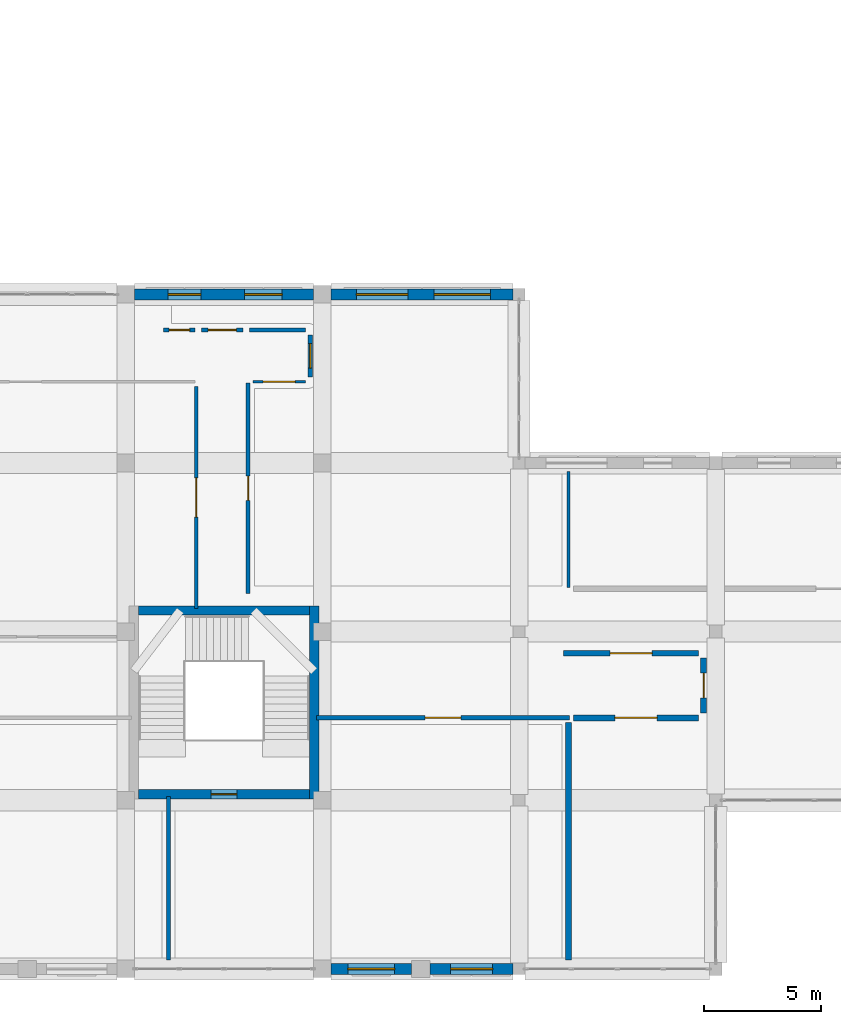
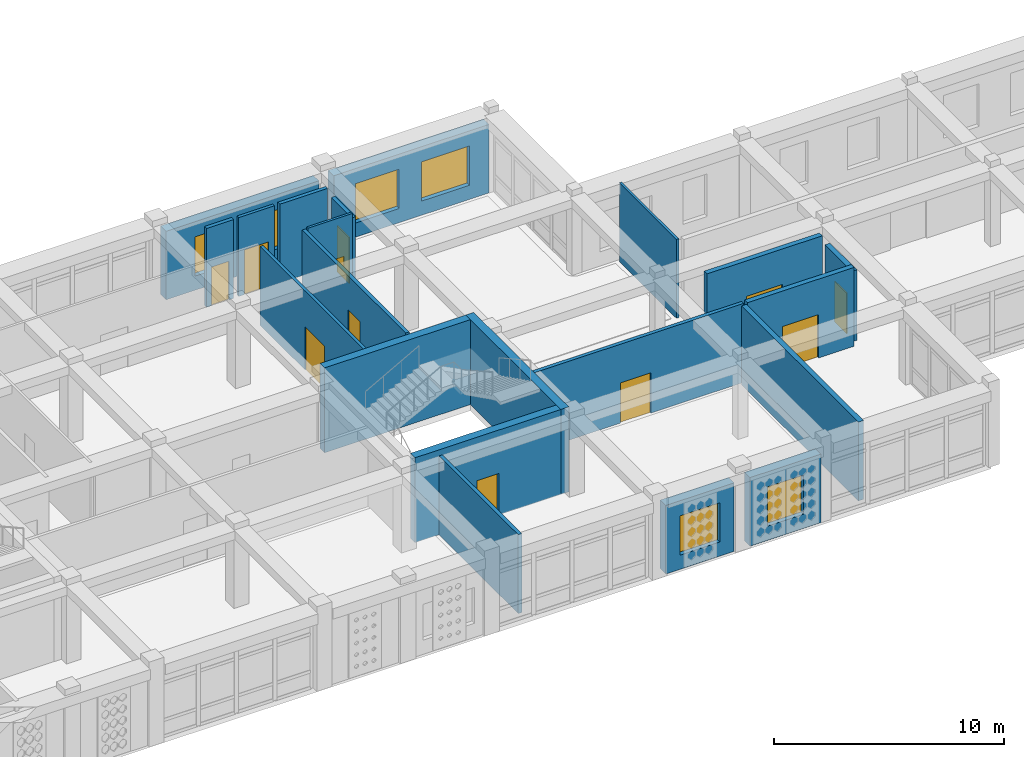
# One storey, part 86 of 121: 21 walls, 11 doors, 6 windows, 17 openings.
"""IFC4 building model written with IfcOpenShell, lengths in metres."""

from ifc_helpers import new_model, si_unit, derived_unit, direction, frame, frame_2d, origin, place, context, subcontext, project, spatial, rectangle, extrude, material, layer, layer_set, type_object, element, fill, save


model = new_model("IFC4")

# Units and contexts
model_context = context("Model", 3, precision=1e-05, world=origin(), true_north=direction((0.0, 1.0)))
body_context = subcontext(model_context, "Body", "Model", "MODEL_VIEW")
ifc_project = project(units=[si_unit("LENGTHUNIT", "METRE"), si_unit("AREAUNIT", "SQUARE_METRE"), si_unit("VOLUMEUNIT", "CUBIC_METRE"), si_unit("PLANEANGLEUNIT", "RADIAN"), si_unit("MASSUNIT", "GRAM", prefix="KILO"), derived_unit("THERMALTRANSMITTANCEUNIT", [(si_unit("POWERUNIT", "WATT"), 1), (si_unit("LENGTHUNIT", "METRE"), -2), (si_unit("THERMODYNAMICTEMPERATUREUNIT", "KELVIN"), -1)])], contexts=[model_context])

# Site, building, storey
site_placement = place(None, origin())
site = spatial("IfcSite", under=ifc_project, at=site_placement, CompositionType="ELEMENT")
building_placement = place(site_placement, origin())
building = spatial("IfcBuilding", under=site, at=building_placement, Name="Veybourne Emporium", CompositionType="ELEMENT")
storey_placement = place(building_placement, frame((0.0, 0.0, 5.39990234375)))
storey = spatial("IfcBuildingStorey", under=building, at=storey_placement, Name="L01", CompositionType="ELEMENT", Elevation=5.39990234375)

# Wall, openings, windows
ifc_material_1 = material(Name="Portland Limestone Ashlar", Category="masonry")
ifc_layer_1 = layer(ifc_material_1, 0.47998046875)
ifc_layer_set_1 = layer_set([ifc_layer_1], Name="Portland Limestone Ashlar")
wall_type_1 = type_object("IfcWallType", Name="ExtWall_EW-01", PredefinedType="SOLIDWALL", material=ifc_layer_set_1)
wall_1_placement = place(storey_placement, frame((126.375, 28.800048828125, 0.0), z_axis=(0.0, 0.0, 1.0), x_axis=(1.0, 0.0, 0.0)))
wall_1 = element("IfcWall", 1, at=wall_1_placement, inside=storey, type_object=wall_type_1, Name="L01 Portland stone external wall 068", PredefinedType="SOLIDWALL", context=body_context, shape_type="SweptSolid", body=[
    extrude(rectangle(XDim=7.64990234375, YDim=0.47998046875, at=frame_2d((3.824951171875, 0.0))), origin(), (0.0, 0.0, 1.0), 3.630126953125),
])
opening_1_placement = place(wall_1_placement, frame((1.44189453125, 0.0, 0.75)))
opening_1 = element("IfcOpeningElement", 2, at=opening_1_placement, cuts=wall_1, Name="Opening W-10", PredefinedType="OPENING", context=body_context, shape_type="SweptSolid", body=[
    extrude(rectangle(XDim=1.39990234375, YDim=2.080078125, at=frame_2d((0.699951171875, 1.0400390625))), frame((0.0, 0.260009765625, 0.0), z_axis=(0.0, -1.0, 0.0), x_axis=(1.0, 0.0, 0.0)), (0.0, 0.0, 1.0), 0.52001953125),
])
opening_2_placement = place(wall_1_placement, frame((4.7080078125, 0.0, 0.75)))
opening_2 = element("IfcOpeningElement", 3, at=opening_2_placement, cuts=wall_1, Name="Opening W-11", PredefinedType="OPENING", context=body_context, shape_type="SweptSolid", body=[
    extrude(rectangle(XDim=1.60009765625, YDim=2.080078125, at=frame_2d((0.800048828125, 1.0400390625))), frame((0.0, 0.260009765625, 0.0), z_axis=(0.0, -1.0, 0.0), x_axis=(1.0, 0.0, 0.0)), (0.0, 0.0, 1.0), 0.52001953125),
])
ifc_material_2 = material(Name="Low-E Triple Glazing", Category="glass")
window_type_1 = type_object("IfcWindowType", Name="Win_W-10", PartitioningType="DOUBLE_PANEL_VERTICAL", PredefinedType="WINDOW", material=ifc_material_2)
window_1_placement = place(opening_1_placement, origin())
window_1 = element("IfcWindow", 4, at=window_1_placement, inside=storey, type_object=window_type_1, Name="L01 tripartite bronze casement window W-10 (68.1)", OverallHeight=2.080078125, OverallWidth=1.39990234375, PartitioningType="DOUBLE_PANEL_VERTICAL", PredefinedType="WINDOW", context=body_context, shape_type="SweptSolid", body=[
    extrude(rectangle(XDim=1.39990234375, YDim=2.080078125, at=frame_2d((0.699951171875, 1.0400390625))), frame((0.0, 0.030029296875, 0.0), z_axis=(0.0, -1.0, 0.0), x_axis=(1.0, 0.0, 0.0)), (0.0, 0.0, 1.0), 0.06005859375),
])
fill(opening_1, window_1)
window_type_2 = type_object("IfcWindowType", Name="Win_W-11", PartitioningType="DOUBLE_PANEL_VERTICAL", PredefinedType="WINDOW", material=ifc_material_2)
window_2_placement = place(opening_2_placement, origin())
window_2 = element("IfcWindow", 5, at=window_2_placement, inside=storey, type_object=window_type_2, Name="L01 tripartite bronze casement window W-11 (68.2)", OverallHeight=2.080078125, OverallWidth=1.60009765625, PartitioningType="DOUBLE_PANEL_VERTICAL", PredefinedType="WINDOW", context=body_context, shape_type="SweptSolid", body=[
    extrude(rectangle(XDim=1.60009765625, YDim=2.080078125, at=frame_2d((0.800048828125, 1.0400390625))), frame((0.0, 0.030029296875, 0.0), z_axis=(0.0, -1.0, 0.0), x_axis=(1.0, 0.0, 0.0)), (0.0, 0.0, 1.0), 0.06005859375),
])
fill(opening_2, window_2)

# Wall, opening, window
wall_2_placement = place(storey_placement, frame((142.550048828125, 0.0, 0.0), z_axis=(0.0, 0.0, 1.0), x_axis=(-1.0, 0.0, 0.0)))
wall_2 = element("IfcWall", 6, at=wall_2_placement, inside=storey, type_object=wall_type_1, Name="L01 Portland stone external wall 069A", PredefinedType="SOLIDWALL", context=body_context, shape_type="SweptSolid", body=[
    extrude(rectangle(XDim=3.550048828125, YDim=0.47998046875, at=frame_2d((1.77490234375, 0.0))), origin(), (0.0, 0.0, 1.0), 3.630126953125),
])
opening_3_placement = place(wall_2_placement, frame((0.875, 0.0, 0.75)))
opening_3 = element("IfcOpeningElement", 7, at=opening_3_placement, cuts=wall_2, Name="Opening W-12", PredefinedType="OPENING", context=body_context, shape_type="SweptSolid", body=[
    extrude(rectangle(XDim=1.800048828125, YDim=2.080078125, at=frame_2d((0.89990234375, 1.0400390625))), frame((0.0, 0.260009765625, 0.0), z_axis=(0.0, -1.0, 0.0), x_axis=(1.0, 0.0, 0.0)), (0.0, 0.0, 1.0), 0.52001953125),
])
window_type_3 = type_object("IfcWindowType", Name="Win_W-12", PartitioningType="DOUBLE_PANEL_VERTICAL", PredefinedType="WINDOW", material=ifc_material_2)
window_3_placement = place(opening_3_placement, origin())
window_3 = element("IfcWindow", 8, at=window_3_placement, inside=storey, type_object=window_type_3, Name="L01 tripartite bronze casement window W-12 (69A)", OverallHeight=2.080078125, OverallWidth=1.800048828125, PartitioningType="DOUBLE_PANEL_VERTICAL", PredefinedType="WINDOW", context=body_context, shape_type="SweptSolid", body=[
    extrude(rectangle(XDim=1.800048828125, YDim=2.080078125, at=frame_2d((0.89990234375, 1.0400390625))), frame((0.0, 0.030029296875, 0.0), z_axis=(0.0, -1.0, 0.0), x_axis=(1.0, 0.0, 0.0)), (0.0, 0.0, 1.0), 0.06005859375),
])
fill(opening_3, window_3)

wall_3_placement = place(storey_placement, frame((138.199951171875, 0.0, 0.0), z_axis=(0.0, 0.0, 1.0), x_axis=(-1.0, 0.0, 0.0)))
wall_3 = element("IfcWall", 9, at=wall_3_placement, inside=storey, type_object=wall_type_1, Name="L01 Portland stone external wall 069B", PredefinedType="SOLIDWALL", context=body_context, shape_type="SweptSolid", body=[
    extrude(rectangle(XDim=3.425048828125, YDim=0.47998046875, at=frame_2d((1.71240234375, 0.0))), origin(), (0.0, 0.0, 1.0), 3.630126953125),
])
opening_4_placement = place(wall_3_placement, frame((0.71240234375, 0.0, 0.75)))
opening_4 = element("IfcOpeningElement", 10, at=opening_4_placement, cuts=wall_3, Name="Opening W-13", PredefinedType="OPENING", context=body_context, shape_type="SweptSolid", body=[
    extrude(rectangle(XDim=2.0, YDim=2.080078125, at=frame_2d((1.0, 1.0400390625))), frame((0.0, 0.260009765625, 0.0), z_axis=(0.0, -1.0, 0.0), x_axis=(1.0, 0.0, 0.0)), (0.0, 0.0, 1.0), 0.52001953125),
])
window_type_4 = type_object("IfcWindowType", Name="Win_W-13", PartitioningType="TRIPLE_PANEL_VERTICAL", PredefinedType="WINDOW", material=ifc_material_2)
window_4_placement = place(opening_4_placement, origin())
window_4 = element("IfcWindow", 11, at=window_4_placement, inside=storey, type_object=window_type_4, Name="L01 tripartite bronze casement window W-13 (69B)", OverallHeight=2.080078125, OverallWidth=2.0, PartitioningType="TRIPLE_PANEL_VERTICAL", PredefinedType="WINDOW", context=body_context, shape_type="SweptSolid", body=[
    extrude(rectangle(XDim=2.0, YDim=2.080078125, at=frame_2d((1.0, 1.0400390625))), frame((0.0, 0.030029296875, 0.0), z_axis=(0.0, -1.0, 0.0), x_axis=(1.0, 0.0, 0.0)), (0.0, 0.0, 1.0), 0.06005859375),
])
fill(opening_4, window_4)

# Wall, openings, windows
wall_4_placement = place(storey_placement, frame((134.77490234375, 28.800048828125, 0.0), z_axis=(0.0, 0.0, 1.0), x_axis=(1.0, 0.0, 0.0)))
wall_4 = element("IfcWall", 12, at=wall_4_placement, inside=storey, type_object=wall_type_1, Name="L01 Portland stone external wall 071", PredefinedType="SOLIDWALL", context=body_context, shape_type="SweptSolid", body=[
    extrude(rectangle(XDim=7.775146484375, YDim=0.47998046875, at=frame_2d((3.8876953125, 0.0))), origin(), (0.0, 0.0, 1.0), 3.630126953125),
])
opening_5_placement = place(wall_4_placement, frame((1.076904296875, 0.0, 0.75)))
opening_5 = element("IfcOpeningElement", 13, at=opening_5_placement, cuts=wall_4, Name="Opening W-14", PredefinedType="OPENING", context=body_context, shape_type="SweptSolid", body=[
    extrude(rectangle(XDim=2.199951171875, YDim=2.080078125, at=frame_2d((1.10009765625, 1.0400390625))), frame((0.0, 0.260009765625, 0.0), z_axis=(0.0, -1.0, 0.0), x_axis=(1.0, 0.0, 0.0)), (0.0, 0.0, 1.0), 0.52001953125),
])
opening_6_placement = place(wall_4_placement, frame((4.39794921875, 0.0, 0.75)))
opening_6 = element("IfcOpeningElement", 14, at=opening_6_placement, cuts=wall_4, Name="Opening W-15", PredefinedType="OPENING", context=body_context, shape_type="SweptSolid", body=[
    extrude(rectangle(XDim=2.39990234375, YDim=2.080078125, at=frame_2d((1.199951171875, 1.0400390625))), frame((0.0, 0.260009765625, 0.0), z_axis=(0.0, -1.0, 0.0), x_axis=(1.0, 0.0, 0.0)), (0.0, 0.0, 1.0), 0.52001953125),
])
window_type_5 = type_object("IfcWindowType", Name="Win_W-14", PartitioningType="TRIPLE_PANEL_VERTICAL", PredefinedType="WINDOW", material=ifc_material_2)
window_5_placement = place(opening_5_placement, origin())
window_5 = element("IfcWindow", 15, at=window_5_placement, inside=storey, type_object=window_type_5, Name="L01 tripartite bronze casement window W-14 (71.1)", OverallHeight=2.080078125, OverallWidth=2.199951171875, PartitioningType="TRIPLE_PANEL_VERTICAL", PredefinedType="WINDOW", context=body_context, shape_type="SweptSolid", body=[
    extrude(rectangle(XDim=2.199951171875, YDim=2.080078125, at=frame_2d((1.10009765625, 1.0400390625))), frame((0.0, 0.030029296875, 0.0), z_axis=(0.0, -1.0, 0.0), x_axis=(1.0, 0.0, 0.0)), (0.0, 0.0, 1.0), 0.06005859375),
])
fill(opening_5, window_5)
window_type_6 = type_object("IfcWindowType", Name="Win_W-15", PartitioningType="TRIPLE_PANEL_VERTICAL", PredefinedType="WINDOW", material=ifc_material_2)
window_6_placement = place(opening_6_placement, origin())
window_6 = element("IfcWindow", 16, at=window_6_placement, inside=storey, type_object=window_type_6, Name="L01 tripartite bronze casement window W-15 (71.2)", OverallHeight=2.080078125, OverallWidth=2.39990234375, PartitioningType="TRIPLE_PANEL_VERTICAL", PredefinedType="WINDOW", context=body_context, shape_type="SweptSolid", body=[
    extrude(rectangle(XDim=2.39990234375, YDim=2.080078125, at=frame_2d((1.199951171875, 1.0400390625))), frame((0.0, 0.030029296875, 0.0), z_axis=(0.0, -1.0, 0.0), x_axis=(1.0, 0.0, 0.0)), (0.0, 0.0, 1.0), 0.06005859375),
])
fill(opening_6, window_6)

# Wall, opening, door
ifc_material_3 = material(Name="Concrete C40/50", Category="concrete")
ifc_layer_2 = layer(ifc_material_3, 0.39990234375)
ifc_layer_set_2 = layer_set([ifc_layer_2], Name="Concrete C40/50")
wall_type_2 = type_object("IfcWallType", Name="IntWall_CW-01", PredefinedType="SHEAR", material=ifc_layer_set_2)
wall_5_placement = place(storey_placement, frame((133.85009765625, 7.449951171875, 0.0), z_axis=(0.0, 0.0, 1.0), x_axis=(-1.0, 0.0, 0.0)))
wall_5 = element("IfcWall", 17, at=wall_5_placement, inside=storey, type_object=wall_type_2, Name="Core stair ST-06 south shear wall (L01)", PredefinedType="SHEAR", context=body_context, shape_type="SweptSolid", body=[
    extrude(rectangle(XDim=7.300048828125, YDim=0.39990234375, at=frame_2d((3.64990234375, 0.0))), origin(), (0.0, 0.0, 1.0), 4.5),
])
opening_7_placement = place(wall_5_placement, frame((3.10009765625, 0.0, 0.0)))
opening_7 = element("IfcOpeningElement", 18, at=opening_7_placement, cuts=wall_5, Name="Opening FD-01", PredefinedType="OPENING", context=body_context, shape_type="SweptSolid", body=[
    extrude(rectangle(XDim=1.10009765625, YDim=2.199951171875, at=frame_2d((0.550048828125, 1.10009765625))), frame((0.0, 0.219970703125, 0.0), z_axis=(0.0, -1.0, 0.0), x_axis=(1.0, 0.0, 0.0)), (0.0, 0.0, 1.0), 0.43994140625),
])
ifc_material_4 = material(Name="Patinated Architectural Bronze", Category="bronze")
door_type_1 = type_object("IfcDoorType", Name="FireDoor_FD-01", OperationType="NOTDEFINED", PredefinedType="DOOR", material=ifc_material_4)
door_1_placement = place(opening_7_placement, origin())
door_1 = element("IfcDoor", 19, at=door_1_placement, inside=storey, type_object=door_type_1, Name="Stair ST-06 fire door (L01)", OperationType="SINGLE_SWING_RIGHT", OverallHeight=2.199951171875, OverallWidth=1.10009765625, PredefinedType="DOOR", context=body_context, shape_type="SweptSolid", body=[
    extrude(rectangle(XDim=1.10009765625, YDim=2.199951171875, at=frame_2d((0.550048828125, 1.10009765625))), frame((0.0, 0.02490234375, 0.0), z_axis=(0.0, -1.0, 0.0), x_axis=(1.0, 0.0, 0.0)), (0.0, 0.0, 1.0), 0.050048828125),
])
fill(opening_7, door_1)

# Walls
wall_6_placement = place(storey_placement, frame((126.550048828125, 15.300048828125, 0.0), z_axis=(0.0, 0.0, 1.0), x_axis=(1.0, 0.0, 0.0)))
element("IfcWall", 20, at=wall_6_placement, inside=storey, type_object=wall_type_2, Name="Core stair ST-06 north shear wall (L01)", PredefinedType="SHEAR", context=body_context, shape_type="SweptSolid", body=[
    extrude(rectangle(XDim=7.300048828125, YDim=0.39990234375, at=frame_2d((3.64990234375, 0.0))), origin(), (0.0, 0.0, 1.0), 4.5),
])
wall_7_placement = place(storey_placement, frame((134.050048828125, 7.25, 0.0), z_axis=(0.0, 0.0, 1.0), x_axis=(0.0, 1.0, 0.0)))
element("IfcWall", 21, at=wall_7_placement, inside=storey, type_object=wall_type_2, Name="Core stair ST-06 east shear wall (L01)", PredefinedType="SHEAR", context=body_context, shape_type="SweptSolid", body=[
    extrude(rectangle(XDim=8.25, YDim=0.39990234375, at=frame_2d((4.125, 0.0))), origin(), (0.0, 0.0, 1.0), 4.5),
])

# Wall, opening, door
ifc_material_5 = material(Name="Concrete C32/40", Category="concrete")
ifc_layer_3 = layer(ifc_material_5, 0.25)
ifc_layer_set_3 = layer_set([ifc_layer_3], Name="Concrete C32/40")
wall_type_3 = type_object("IfcWallType", Name="IntWall_FW-01", PredefinedType="SOLIDWALL", material=ifc_layer_set_3)
wall_8_placement = place(storey_placement, frame((144.698974609375, 13.47998046875, 0.0), z_axis=(0.0, 0.0, 1.0), x_axis=(1.0, 0.0, 0.0)))
wall_8 = element("IfcWall", 22, at=wall_8_placement, inside=storey, type_object=wall_type_3, Name="L01 interior partition FW-01 #084", PredefinedType="SOLIDWALL", context=body_context, shape_type="SweptSolid", body=[
    extrude(rectangle(XDim=5.77099609375, YDim=0.25, at=frame_2d((2.885498046875, 0.0))), origin(), (0.0, 0.0, 1.0), 4.18017578125),
])
opening_8_placement = place(wall_8_placement, frame((1.985595703125, 0.0, 0.0)))
opening_8 = element("IfcOpeningElement", 23, at=opening_8_placement, cuts=wall_8, Name="Opening FD-03", PredefinedType="OPENING", context=body_context, shape_type="SweptSolid", body=[
    extrude(rectangle(XDim=1.800048828125, YDim=2.300048828125, at=frame_2d((0.89990234375, 1.14990234375))), frame((0.0, 0.14501953125, 0.0), z_axis=(0.0, -1.0, 0.0), x_axis=(1.0, 0.0, 0.0)), (0.0, 0.0, 1.0), 0.2900390625),
])
door_type_2 = type_object("IfcDoorType", Name="FireDoor_FD-03", OperationType="DOUBLE_DOOR_SINGLE_SWING", PredefinedType="DOOR", material=ifc_material_4)
door_2_placement = place(opening_8_placement, origin())
door_2 = element("IfcDoor", 24, at=door_2_placement, inside=storey, type_object=door_type_2, Name="L01 interior door FD-03 (PART-L01-084)", OperationType="DOUBLE_DOOR_SINGLE_SWING", OverallHeight=2.300048828125, OverallWidth=1.800048828125, PredefinedType="DOOR", context=body_context, shape_type="SweptSolid", body=[
    extrude(rectangle(XDim=1.800048828125, YDim=2.300048828125, at=frame_2d((0.89990234375, 1.14990234375))), frame((0.0, 0.02490234375, 0.0), z_axis=(0.0, -1.0, 0.0), x_axis=(1.0, 0.0, 0.0)), (0.0, 0.0, 1.0), 0.050048828125),
])
fill(opening_8, door_2)

wall_9_placement = place(storey_placement, frame((145.118896484375, 10.719970703125, 0.0), z_axis=(0.0, 0.0, 1.0), x_axis=(1.0, 0.0, 0.0)))
wall_9 = element("IfcWall", 25, at=wall_9_placement, inside=storey, type_object=wall_type_3, Name="L01 interior partition FW-01 #085", PredefinedType="SOLIDWALL", context=body_context, shape_type="SweptSolid", body=[
    extrude(rectangle(XDim=5.35107421875, YDim=0.25, at=frame_2d((2.675537109375, 0.0))), origin(), (0.0, 0.0, 1.0), 4.18017578125),
])
opening_9_placement = place(wall_9_placement, frame((1.775390625, 0.0, 0.0)))
opening_9 = element("IfcOpeningElement", 26, at=opening_9_placement, cuts=wall_9, Name="Opening FD-03", PredefinedType="OPENING", context=body_context, shape_type="SweptSolid", body=[
    extrude(rectangle(XDim=1.800048828125, YDim=2.300048828125, at=frame_2d((0.89990234375, 1.14990234375))), frame((0.0, 0.14501953125, 0.0), z_axis=(0.0, -1.0, 0.0), x_axis=(1.0, 0.0, 0.0)), (0.0, 0.0, 1.0), 0.2900390625),
])
door_3_placement = place(opening_9_placement, origin())
door_3 = element("IfcDoor", 27, at=door_3_placement, inside=storey, type_object=door_type_2, Name="L01 interior door FD-03 (PART-L01-085)", OperationType="DOUBLE_DOOR_SINGLE_SWING", OverallHeight=2.300048828125, OverallWidth=1.800048828125, PredefinedType="DOOR", context=body_context, shape_type="SweptSolid", body=[
    extrude(rectangle(XDim=1.800048828125, YDim=2.300048828125, at=frame_2d((0.89990234375, 1.14990234375))), frame((0.0, 0.02490234375, 0.0), z_axis=(0.0, -1.0, 0.0), x_axis=(1.0, 0.0, 0.0)), (0.0, 0.0, 1.0), 0.050048828125),
])
fill(opening_9, door_3)

wall_10_placement = place(storey_placement, frame((150.679931640625, 10.929931640625, 0.0), z_axis=(0.0, 0.0, 1.0), x_axis=(0.0, 1.0, 0.0)))
wall_10 = element("IfcWall", 28, at=wall_10_placement, inside=storey, type_object=wall_type_3, Name="L01 interior partition FW-01 #121", PredefinedType="SOLIDWALL", context=body_context, shape_type="SweptSolid", body=[
    extrude(rectangle(XDim=2.340087890625, YDim=0.25, at=frame_2d((1.169921875, 0.0))), origin(), (0.0, 0.0, 1.0), 3.72998046875),
])
opening_10_placement = place(wall_10_placement, frame((0.64501953125, 0.0, 0.0)))
opening_10 = element("IfcOpeningElement", 29, at=opening_10_placement, cuts=wall_10, Name="Opening FD-02", PredefinedType="OPENING", context=body_context, shape_type="SweptSolid", body=[
    extrude(rectangle(XDim=1.050048828125, YDim=2.14990234375, at=frame_2d((0.52490234375, 1.074951171875))), frame((0.0, 0.14501953125, 0.0), z_axis=(0.0, -1.0, 0.0), x_axis=(1.0, 0.0, 0.0)), (0.0, 0.0, 1.0), 0.2900390625),
])
door_type_3 = type_object("IfcDoorType", Name="FireDoor_FD-02", OperationType="NOTDEFINED", PredefinedType="DOOR", material=ifc_material_4)
door_4_placement = place(opening_10_placement, origin())
door_4 = element("IfcDoor", 30, at=door_4_placement, inside=storey, type_object=door_type_3, Name="L01 interior door FD-02 (PART-L01-121)", OperationType="SINGLE_SWING_LEFT", OverallHeight=2.14990234375, OverallWidth=1.050048828125, PredefinedType="DOOR", context=body_context, shape_type="SweptSolid", body=[
    extrude(rectangle(XDim=1.050048828125, YDim=2.14990234375, at=frame_2d((0.52490234375, 1.074951171875))), frame((0.0, 0.02490234375, 0.0), z_axis=(0.0, -1.0, 0.0), x_axis=(1.0, 0.0, 0.0)), (0.0, 0.0, 1.0), 0.050048828125),
])
fill(opening_10, door_4)

# Wall
wall_11_placement = place(storey_placement, frame((144.908935546875, 0.3701171875, 0.0), z_axis=(0.0, 0.0, 1.0), x_axis=(0.0, 1.0, 0.0)))
element("IfcWall", 31, at=wall_11_placement, inside=storey, type_object=wall_type_3, Name="L01 interior partition FW-01 #185", PredefinedType="SOLIDWALL", context=body_context, shape_type="SweptSolid", body=[
    extrude(rectangle(XDim=10.139892578125, YDim=0.25, at=frame_2d((5.06982421875, 0.0))), origin(), (0.0, 0.0, 1.0), 4.18017578125),
])

# Wall, opening, door
ifc_material_6 = material(Name="Gypsum Acoustic Board", Category="gypsum")
ifc_layer_4 = layer(ifc_material_6, 0.179931640625)
ifc_layer_set_4 = layer_set([ifc_layer_4], Name="Gypsum Acoustic Board")
wall_type_4 = type_object("IfcWallType", Name="IntWall_IW-01", PredefinedType="PARTITIONING", material=ifc_layer_set_4)
wall_12_placement = place(storey_placement, frame((134.139892578125, 10.719970703125, 0.0), z_axis=(0.0, 0.0, 1.0), x_axis=(1.0, 0.0, 0.0)))
wall_12 = element("IfcWall", 32, at=wall_12_placement, inside=storey, type_object=wall_type_4, Name="L01 interior partition IW-01 #058", PredefinedType="PARTITIONING", context=body_context, shape_type="SweptSolid", body=[
    extrude(rectangle(XDim=10.819091796875, YDim=0.179931640625, at=frame_2d((5.40966796875, 0.0))), origin(), (0.0, 0.0, 1.0), 4.18017578125),
])
opening_11_placement = place(wall_12_placement, frame((4.6494140625, 0.0, 0.0)))
opening_11 = element("IfcOpeningElement", 33, at=opening_11_placement, cuts=wall_12, Name="Opening D-11", PredefinedType="OPENING", context=body_context, shape_type="SweptSolid", body=[
    extrude(rectangle(XDim=1.52001953125, YDim=2.1298828125, at=frame_2d((0.760009765625, 1.06494140625))), frame((0.0, 0.10986328125, 0.0), z_axis=(0.0, -1.0, 0.0), x_axis=(1.0, 0.0, 0.0)), (0.0, 0.0, 1.0), 0.219970703125),
])
ifc_material_7 = material(Name="European Oak Veneer and Bronze", Category="wood")
door_type_4 = type_object("IfcDoorType", Name="IntDoor_D-11", OperationType="NOTDEFINED", PredefinedType="DOOR", material=ifc_material_7)
door_5_placement = place(opening_11_placement, origin())
door_5 = element("IfcDoor", 34, at=door_5_placement, inside=storey, type_object=door_type_4, Name="L01 interior door D-11 (PART-L01-058)", OperationType="SINGLE_SWING_LEFT", OverallHeight=2.1298828125, OverallWidth=1.52001953125, PredefinedType="DOOR", context=body_context, shape_type="SweptSolid", body=[
    extrude(rectangle(XDim=1.52001953125, YDim=2.1298828125, at=frame_2d((0.760009765625, 1.06494140625))), frame((0.0, 0.02490234375, 0.0), z_axis=(0.0, -1.0, 0.0), x_axis=(1.0, 0.0, 0.0)), (0.0, 0.0, 1.0), 0.050048828125),
])
fill(opening_11, door_5)

wall_13_placement = place(storey_placement, frame((131.22998046875, 16.02001953125, 0.0), z_axis=(0.0, 0.0, 1.0), x_axis=(0.0, 1.0, 0.0)))
wall_13 = element("IfcWall", 35, at=wall_13_placement, inside=storey, type_object=wall_type_4, Name="L01 interior partition IW-01 #073", PredefinedType="PARTITIONING", context=body_context, shape_type="SweptSolid", body=[
    extrude(rectangle(XDim=9.0, YDim=0.179931640625, at=frame_2d((4.5, 0.0))), origin(), (0.0, 0.0, 1.0), 4.18017578125),
])
opening_12_placement = place(wall_13_placement, frame((3.97998046875, 0.0, 0.0)))
opening_12 = element("IfcOpeningElement", 36, at=opening_12_placement, cuts=wall_13, Name="Opening D-26", PredefinedType="OPENING", context=body_context, shape_type="SweptSolid", body=[
    extrude(rectangle(XDim=1.0400390625, YDim=2.3701171875, at=frame_2d((0.52001953125, 1.18505859375))), frame((0.0, 0.10986328125, 0.0), z_axis=(0.0, -1.0, 0.0), x_axis=(1.0, 0.0, 0.0)), (0.0, 0.0, 1.0), 0.219970703125),
])
door_type_5 = type_object("IfcDoorType", Name="IntDoor_D-26", OperationType="NOTDEFINED", PredefinedType="DOOR", material=ifc_material_7)
door_6_placement = place(opening_12_placement, origin())
door_6 = element("IfcDoor", 37, at=door_6_placement, inside=storey, type_object=door_type_5, Name="L01 interior door D-26 (PART-L01-073)", OperationType="SINGLE_SWING_RIGHT", OverallHeight=2.3701171875, OverallWidth=1.0400390625, PredefinedType="DOOR", context=body_context, shape_type="SweptSolid", body=[
    extrude(rectangle(XDim=1.0400390625, YDim=2.3701171875, at=frame_2d((0.52001953125, 1.18505859375))), frame((0.0, 0.02490234375, 0.0), z_axis=(0.0, -1.0, 0.0), x_axis=(1.0, 0.0, 0.0)), (0.0, 0.0, 1.0), 0.050048828125),
])
fill(opening_12, door_6)

# Wall
wall_14_placement = place(storey_placement, frame((131.280029296875, 27.280029296875, 0.0), z_axis=(0.0, 0.0, 1.0), x_axis=(1.0, 0.0, 0.0)))
element("IfcWall", 38, at=wall_14_placement, inside=storey, type_object=wall_type_4, Name="L01 interior partition IW-01 #118", PredefinedType="PARTITIONING", context=body_context, shape_type="SweptSolid", body=[
    extrude(rectangle(XDim=2.389892578125, YDim=0.179931640625, at=frame_2d((1.19482421875, 0.0))), origin(), (0.0, 0.0, 1.0), 4.18017578125),
])

# Wall, opening, door
wall_15_placement = place(storey_placement, frame((133.8798828125, 25.280029296875, 0.0), z_axis=(0.0, 0.0, 1.0), x_axis=(0.0, 1.0, 0.0)))
wall_15 = element("IfcWall", 39, at=wall_15_placement, inside=storey, type_object=wall_type_4, Name="L01 interior partition IW-01 #151", PredefinedType="PARTITIONING", context=body_context, shape_type="SweptSolid", body=[
    extrude(rectangle(XDim=1.7900390625, YDim=0.179931640625, at=frame_2d((0.89501953125, 0.0))), origin(), (0.0, 0.0, 1.0), 3.72998046875),
])
opening_13_placement = place(wall_15_placement, frame((0.375, 0.0, 0.0)))
opening_13 = element("IfcOpeningElement", 40, at=opening_13_placement, cuts=wall_15, Name="Opening D-32", PredefinedType="OPENING", context=body_context, shape_type="SweptSolid", body=[
    extrude(rectangle(XDim=1.0400390625, YDim=2.449951171875, at=frame_2d((0.52001953125, 1.22509765625))), frame((0.0, 0.10986328125, 0.0), z_axis=(0.0, -1.0, 0.0), x_axis=(1.0, 0.0, 0.0)), (0.0, 0.0, 1.0), 0.219970703125),
])
door_type_6 = type_object("IfcDoorType", Name="IntDoor_D-32", OperationType="NOTDEFINED", PredefinedType="DOOR", material=ifc_material_7)
door_7_placement = place(opening_13_placement, origin())
door_7 = element("IfcDoor", 41, at=door_7_placement, inside=storey, type_object=door_type_6, Name="L01 interior door D-32 (PART-L01-151)", OperationType="SINGLE_SWING_RIGHT", OverallHeight=2.449951171875, OverallWidth=1.0400390625, PredefinedType="DOOR", context=body_context, shape_type="SweptSolid", body=[
    extrude(rectangle(XDim=1.0400390625, YDim=2.449951171875, at=frame_2d((0.52001953125, 1.22509765625))), frame((0.0, 0.02490234375, 0.0), z_axis=(0.0, -1.0, 0.0), x_axis=(1.0, 0.0, 0.0)), (0.0, 0.0, 1.0), 0.050048828125),
])
fill(opening_13, door_7)

wall_16_placement = place(storey_placement, frame((127.6201171875, 27.280029296875, 0.0), z_axis=(0.0, 0.0, 1.0), x_axis=(1.0, 0.0, 0.0)))
wall_16 = element("IfcWall", 42, at=wall_16_placement, inside=storey, type_object=wall_type_4, Name="L01 interior partition IW-01 #166", PredefinedType="PARTITIONING", context=body_context, shape_type="SweptSolid", body=[
    extrude(rectangle(XDim=1.349853515625, YDim=0.179931640625, at=frame_2d((0.6748046875, 0.0))), origin(), (0.0, 0.0, 1.0), 4.18017578125),
])
opening_14_placement = place(wall_16_placement, frame((0.235107421875, 0.0, 0.0)))
opening_14 = element("IfcOpeningElement", 43, at=opening_14_placement, cuts=wall_16, Name="Opening D-01", PredefinedType="OPENING", context=body_context, shape_type="SweptSolid", body=[
    extrude(rectangle(XDim=0.8798828125, YDim=2.050048828125, at=frame_2d((0.43994140625, 1.02490234375))), frame((0.0, 0.10986328125, 0.0), z_axis=(0.0, -1.0, 0.0), x_axis=(1.0, 0.0, 0.0)), (0.0, 0.0, 1.0), 0.219970703125),
])
door_type_7 = type_object("IfcDoorType", Name="IntDoor_D-01", OperationType="NOTDEFINED", PredefinedType="DOOR", material=ifc_material_7)
door_8_placement = place(opening_14_placement, origin())
door_8 = element("IfcDoor", 44, at=door_8_placement, inside=storey, type_object=door_type_7, Name="L01 interior door D-01 (PART-L01-166)", OperationType="SINGLE_SWING_LEFT", OverallHeight=2.050048828125, OverallWidth=0.8798828125, PredefinedType="DOOR", context=body_context, shape_type="SweptSolid", body=[
    extrude(rectangle(XDim=0.8798828125, YDim=2.050048828125, at=frame_2d((0.43994140625, 1.02490234375))), frame((0.0, 0.02490234375, 0.0), z_axis=(0.0, -1.0, 0.0), x_axis=(1.0, 0.0, 0.0)), (0.0, 0.0, 1.0), 0.050048828125),
])
fill(opening_14, door_8)

# Wall
wall_17_placement = place(storey_placement, frame((127.830078125, 0.3701171875, 0.0), z_axis=(0.0, 0.0, 1.0), x_axis=(0.0, 1.0, 0.0)))
element("IfcWall", 45, at=wall_17_placement, inside=storey, type_object=wall_type_4, Name="L01 interior partition IW-01 #190", PredefinedType="PARTITIONING", context=body_context, shape_type="SweptSolid", body=[
    extrude(rectangle(XDim=6.989990234375, YDim=0.179931640625, at=frame_2d((3.4951171875, 0.0))), origin(), (0.0, 0.0, 1.0), 4.18017578125),
])

# Wall, opening, door
ifc_layer_5 = layer(ifc_material_6, 0.14990234375)
ifc_layer_set_5 = layer_set([ifc_layer_5], Name="Gypsum Acoustic Board")
wall_type_5 = type_object("IfcWallType", Name="IntWall_IW-02", PredefinedType="PARTITIONING", material=ifc_layer_set_5)
wall_18_placement = place(storey_placement, frame((129.02001953125, 15.389892578125, 0.0), z_axis=(0.0, 0.0, 1.0), x_axis=(0.0, 1.0, 0.0)))
wall_18 = element("IfcWall", 46, at=wall_18_placement, inside=storey, type_object=wall_type_5, Name="L01 interior partition IW-02 #071", PredefinedType="PARTITIONING", context=body_context, shape_type="SweptSolid", body=[
    extrude(rectangle(XDim=9.47021484375, YDim=0.14990234375, at=frame_2d((4.735107421875, 0.0))), origin(), (0.0, 0.0, 1.0), 4.18017578125),
])
opening_15_placement = place(wall_18_placement, frame((3.89501953125, 0.0, 0.0)))
opening_15 = element("IfcOpeningElement", 47, at=opening_15_placement, cuts=wall_18, Name="Opening D-24", PredefinedType="OPENING", context=body_context, shape_type="SweptSolid", body=[
    extrude(rectangle(XDim=1.679931640625, YDim=2.2900390625, at=frame_2d((0.83984375, 1.14501953125))), frame((0.0, 0.094970703125, 0.0), z_axis=(0.0, -1.0, 0.0), x_axis=(1.0, 0.0, 0.0)), (0.0, 0.0, 1.0), 0.18994140625),
])
door_type_8 = type_object("IfcDoorType", Name="IntDoor_D-24", OperationType="DOUBLE_DOOR_SINGLE_SWING", PredefinedType="DOOR", material=ifc_material_7)
door_9_placement = place(opening_15_placement, origin())
door_9 = element("IfcDoor", 48, at=door_9_placement, inside=storey, type_object=door_type_8, Name="L01 interior door D-24 (PART-L01-071)", OperationType="DOUBLE_DOOR_SINGLE_SWING", OverallHeight=2.2900390625, OverallWidth=1.679931640625, PredefinedType="DOOR", context=body_context, shape_type="SweptSolid", body=[
    extrude(rectangle(XDim=1.679931640625, YDim=2.2900390625, at=frame_2d((0.83984375, 1.14501953125))), frame((0.0, 0.02490234375, 0.0), z_axis=(0.0, -1.0, 0.0), x_axis=(1.0, 0.0, 0.0)), (0.0, 0.0, 1.0), 0.050048828125),
])
fill(opening_15, door_9)

wall_19_placement = place(storey_placement, frame((129.22998046875, 27.280029296875, 0.0), z_axis=(0.0, 0.0, 1.0), x_axis=(1.0, 0.0, 0.0)))
wall_19 = element("IfcWall", 49, at=wall_19_placement, inside=storey, type_object=wall_type_5, Name="L01 interior partition IW-02 #146", PredefinedType="PARTITIONING", context=body_context, shape_type="SweptSolid", body=[
    extrude(rectangle(XDim=1.7900390625, YDim=0.14990234375, at=frame_2d((0.89501953125, 0.0))), origin(), (0.0, 0.0, 1.0), 4.18017578125),
])
opening_16_placement = place(wall_19_placement, frame((0.294921875, 0.0, 0.0)))
opening_16 = element("IfcOpeningElement", 50, at=opening_16_placement, cuts=wall_19, Name="Opening D-27", PredefinedType="OPENING", context=body_context, shape_type="SweptSolid", body=[
    extrude(rectangle(XDim=1.199951171875, YDim=2.3701171875, at=frame_2d((0.60009765625, 1.18505859375))), frame((0.0, 0.094970703125, 0.0), z_axis=(0.0, -1.0, 0.0), x_axis=(1.0, 0.0, 0.0)), (0.0, 0.0, 1.0), 0.18994140625),
])
door_type_9 = type_object("IfcDoorType", Name="IntDoor_D-27", OperationType="NOTDEFINED", PredefinedType="DOOR", material=ifc_material_7)
door_10_placement = place(opening_16_placement, origin())
door_10 = element("IfcDoor", 51, at=door_10_placement, inside=storey, type_object=door_type_9, Name="L01 interior door D-27 (PART-L01-146)", OperationType="SINGLE_SWING_RIGHT", OverallHeight=2.3701171875, OverallWidth=1.199951171875, PredefinedType="DOOR", context=body_context, shape_type="SweptSolid", body=[
    extrude(rectangle(XDim=1.199951171875, YDim=2.3701171875, at=frame_2d((0.60009765625, 1.18505859375))), frame((0.0, 0.02490234375, 0.0), z_axis=(0.0, -1.0, 0.0), x_axis=(1.0, 0.0, 0.0)), (0.0, 0.0, 1.0), 0.050048828125),
])
fill(opening_16, door_10)

ifc_layer_6 = layer(ifc_material_6, 0.1201171875)
ifc_layer_set_6 = layer_set([ifc_layer_6], Name="Gypsum Acoustic Board")
wall_type_6 = type_object("IfcWallType", Name="IntWall_IW-03", PredefinedType="PARTITIONING", material=ifc_layer_set_6)
wall_20_placement = place(storey_placement, frame((131.43994140625, 25.070068359375, 0.0), z_axis=(0.0, 0.0, 1.0), x_axis=(1.0, 0.0, 0.0)))
wall_20 = element("IfcWall", 52, at=wall_20_placement, inside=storey, type_object=wall_type_6, Name="L01 interior partition IW-03 #123", PredefinedType="PARTITIONING", context=body_context, shape_type="SweptSolid", body=[
    extrude(rectangle(XDim=2.22998046875, YDim=0.1201171875, at=frame_2d((1.114990234375, 0.0))), origin(), (0.0, 0.0, 1.0), 4.18017578125),
])
opening_17_placement = place(wall_20_placement, frame((0.43505859375, 0.0, 0.0)))
opening_17 = element("IfcOpeningElement", 53, at=opening_17_placement, cuts=wall_20, Name="Opening D-04", PredefinedType="OPENING", context=body_context, shape_type="SweptSolid", body=[
    extrude(rectangle(XDim=1.360107421875, YDim=2.050048828125, at=frame_2d((0.68017578125, 1.02490234375))), frame((0.0, 0.080078125, 0.0), z_axis=(0.0, -1.0, 0.0), x_axis=(1.0, 0.0, 0.0)), (0.0, 0.0, 1.0), 0.16015625),
])
door_type_10 = type_object("IfcDoorType", Name="IntDoor_D-04", OperationType="NOTDEFINED", PredefinedType="DOOR", material=ifc_material_7)
door_11_placement = place(opening_17_placement, origin())
door_11 = element("IfcDoor", 54, at=door_11_placement, inside=storey, type_object=door_type_10, Name="L01 interior door D-04 (PART-L01-123)", OperationType="SINGLE_SWING_LEFT", OverallHeight=2.050048828125, OverallWidth=1.360107421875, PredefinedType="DOOR", context=body_context, shape_type="SweptSolid", body=[
    extrude(rectangle(XDim=1.360107421875, YDim=2.050048828125, at=frame_2d((0.68017578125, 1.02490234375))), frame((0.0, 0.02490234375, 0.0), z_axis=(0.0, -1.0, 0.0), x_axis=(1.0, 0.0, 0.0)), (0.0, 0.0, 1.0), 0.050048828125),
])
fill(opening_17, door_11)

# Wall
wall_21_placement = place(storey_placement, frame((144.908935546875, 16.280029296875, 0.0), z_axis=(0.0, 0.0, 1.0), x_axis=(0.0, 1.0, 0.0)))
element("IfcWall", 55, at=wall_21_placement, inside=storey, type_object=wall_type_6, Name="L01 interior partition IW-03 #192", PredefinedType="PARTITIONING", context=body_context, shape_type="SweptSolid", body=[
    extrude(rectangle(XDim=4.949951171875, YDim=0.1201171875, at=frame_2d((2.47509765625, 0.0))), origin(), (0.0, 0.0, 1.0), 4.18017578125),
])

save(model, "model.ifc")
